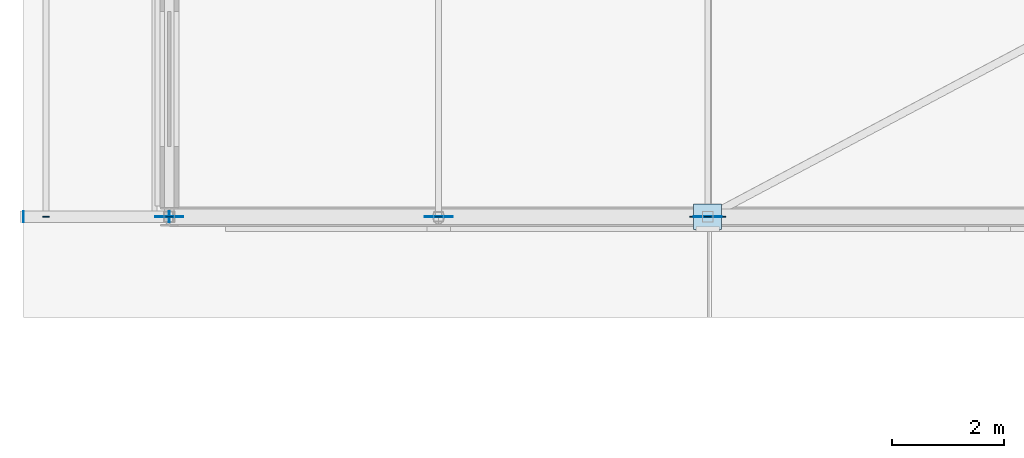
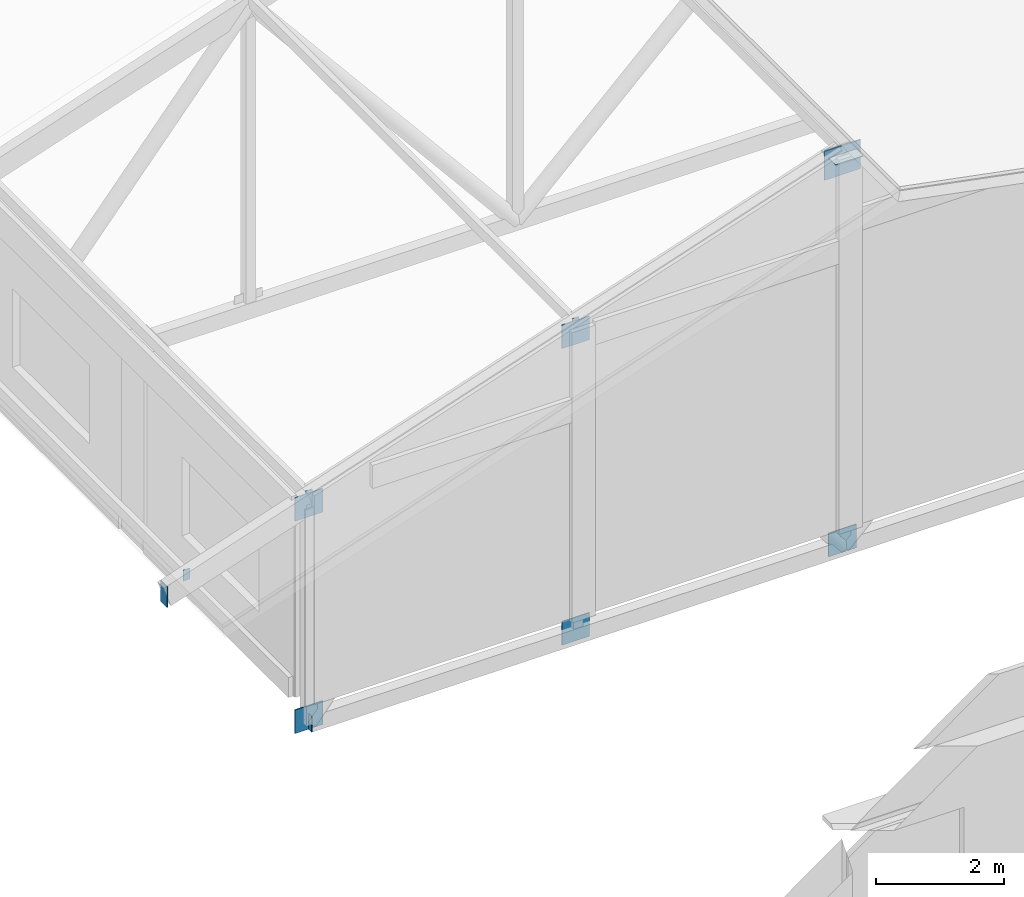
# One storey, part 143 of 200: 13 plates.
"""IFC4 building model written with IfcOpenShell, lengths in metres."""

from ifc_helpers import new_model, si_unit, direction, frame, origin, origin_2d, place, context, subcontext, project, spatial, rectangle, extrude, material, layer, layer_set, type_object, element, save


model = new_model("IFC4")

# Units and contexts
model_context = context("Model", 3, precision=1e-05, world=origin(), true_north=direction((0.0, 1.0)))
body_context = subcontext(model_context, "Body", "Model", "MODEL_VIEW")
ifc_project = project(units=[si_unit("LENGTHUNIT", "METRE"), si_unit("AREAUNIT", "SQUARE_METRE"), si_unit("VOLUMEUNIT", "CUBIC_METRE"), si_unit("PLANEANGLEUNIT", "RADIAN"), si_unit("MASSUNIT", "GRAM", prefix="KILO")], contexts=[model_context])

# Site, building, storey
site_placement = place(None, origin())
site = spatial("IfcSite", under=ifc_project, at=site_placement, CompositionType="ELEMENT")
building_placement = place(site_placement, origin())
building = spatial("IfcBuilding", under=site, at=building_placement, Name="Vondelvale Polytechnic", CompositionType="ELEMENT")
storey_placement = place(building_placement, frame((0.0, 0.0, 13.800048828125)))
storey = spatial("IfcBuildingStorey", under=building, at=storey_placement, Name="L03", CompositionType="ELEMENT", Elevation=13.800048828125)

# Plates
ifc_material = material(Name="Steel Grade 350 (fy = 340 MPa)", Category="steel")
ifc_layer_1 = layer(ifc_material, 0.01611328125)
ifc_layer_set_1 = layer_set([ifc_layer_1], Name="PLATE-CAP-300x200")
plate_type_1 = type_object("IfcPlateType", Name="PLATE-CAP-300x200", PredefinedType="USERDEFINED", material=ifc_layer_set_1)
plate_1_placement = place(storey_placement, frame((0.0, 51.0, -0.5703125), z_axis=(0.0, 0.0, 1.0), x_axis=(1.0, 0.0, 0.0)))
element("IfcPlate", 1, at=plate_1_placement, inside=storey, type_object=plate_type_1, Name="ROOF TRUSS bottom chord cap plate W", ObjectType="CAP_PLATE", PredefinedType="USERDEFINED", context=body_context, shape_type="SweptSolid", body=[
    extrude(rectangle(XDim=0.01611328125, YDim=0.199951171875, at=origin_2d()), origin(), (0.0, 0.0, 1.0), 0.300048828125),
])
ifc_layer_2 = layer(ifc_material, 0.01611328125)
ifc_layer_set_2 = layer_set([ifc_layer_2], Name="PLATE-CAP-400x200")
plate_type_2 = type_object("IfcPlateType", Name="PLATE-CAP-400x200", PredefinedType="USERDEFINED", material=ifc_layer_set_2)
plate_2_placement = place(storey_placement, frame((-2.60009765625, 51.0, 2.71337890625), z_axis=(0.0, 0.0, 1.0), x_axis=(1.0, 0.0, 0.0)))
element("IfcPlate", 2, at=plate_2_placement, inside=storey, type_object=plate_type_2, Name="ROOF TRUSS hollow end cap plate W", ObjectType="CAP_PLATE", PredefinedType="USERDEFINED", context=body_context, shape_type="SweptSolid", body=[
    extrude(rectangle(XDim=0.01611328125, YDim=0.199951171875, at=origin_2d()), origin(), (0.0, 0.0, 1.0), 0.39990234375),
])
ifc_layer_3 = layer(ifc_material, 0.011962890625)
ifc_layer_set_3 = layer_set([ifc_layer_3], Name="PLATE-CAP-C04")
plate_type_3 = type_object("IfcPlateType", Name="PLATE-CAP-C04", PredefinedType="USERDEFINED", material=ifc_layer_set_3)
for number, where, z_axis, x_axis, name in (
    (3, (-2.199951171875, 51.0, 3.035888671875), (0.0, 0.0, 1.0), (1.0, 0.0, 0.0), "Workshop purlin South end cap plate 1"),
    (4, (0.0, 51.0, 3.769287109375), (0.0, 0.0, 1.0), (1.0, 0.0, 0.0), "Workshop purlin South end cap plate 2"),
    (5, (4.800048828125, 51.0, 5.369140625), (0.0, 0.0, 1.0), (1.0, 0.0, 0.0), "Workshop purlin South end cap plate 3"),
    (6, (9.60009765625, 51.0, 6.96923828125), (0.0, 0.0, 1.0), (1.0, 0.0, 0.0), "Workshop purlin South end cap plate 4"),
):
    element("IfcPlate", number, at=place(storey_placement, frame(where, z_axis=z_axis, x_axis=x_axis)), inside=storey, type_object=plate_type_3, Name=name, ObjectType="CAP_PLATE", PredefinedType="USERDEFINED", context=body_context, shape_type="SweptSolid", body=[
        extrude(rectangle(XDim=0.1201171875, YDim=0.011962890625, at=origin_2d()), origin(), (0.0, 0.0, 1.0), 0.2099609375),
    ])
ifc_layer_4 = layer(ifc_material, 0.01611328125)
ifc_layer_set_4 = layer_set([ifc_layer_4], Name="PLATE-GUSSET-16")
plate_type_4 = type_object("IfcPlateType", Name="PLATE-GUSSET-16", PredefinedType="USERDEFINED", material=ifc_layer_set_4)
for number, where, z_axis, x_axis, name in (
    (7, (0.0, 51.0, 3.47509765625), (0.0, 0.0, 1.0), (1.0, 0.0, 0.0), "ROOF TRUSS top chord gusset node plate 0"),
    (8, (0.0, 51.0, -0.56494140625), (0.0, 0.0, 1.0), (1.0, 0.0, 0.0), "ROOF TRUSS bottom chord gusset node plate 0"),
    (9, (4.800048828125, 51.0, 5.0751953125), (0.0, 0.0, 1.0), (1.0, 0.0, 0.0), "ROOF TRUSS top chord gusset node plate 1"),
    (10, (4.800048828125, 51.0, -0.56494140625), (0.0, 0.0, 1.0), (1.0, 0.0, 0.0), "ROOF TRUSS bottom chord gusset node plate 1"),
    (11, (9.60009765625, 51.0, -0.56494140625), (0.0, 0.0, 1.0), (1.0, 0.0, 0.0), "ROOF TRUSS bottom chord gusset node plate 2"),
):
    element("IfcPlate", number, at=place(storey_placement, frame(where, z_axis=z_axis, x_axis=x_axis)), inside=storey, type_object=plate_type_4, Name=name, ObjectType="GUSSET_PLATE", PredefinedType="USERDEFINED", context=body_context, shape_type="SweptSolid", body=[
        extrude(rectangle(XDim=0.5, YDim=0.01611328125, at=origin_2d()), origin(), (0.0, 0.0, 1.0), 0.449951171875),
    ])
plate_3_placement = place(storey_placement, frame((9.60009765625, 51.0, 7.011962890625), z_axis=(0.0, 0.0, 1.0), x_axis=(1.0, 0.0, 0.0)))
element("IfcPlate", 12, at=plate_3_placement, inside=storey, type_object=plate_type_4, Name="Workshop roof brace end gusset plate 1-1", ObjectType="GUSSET_PLATE", PredefinedType="USERDEFINED", context=body_context, shape_type="SweptSolid", body=[
    extrude(rectangle(XDim=0.5, YDim=0.449951171875, at=origin_2d()), origin(), (0.0, 0.0, 1.0), 0.01611328125),
])
ifc_layer_5 = layer(ifc_material, 0.02001953125)
ifc_layer_set_5 = layer_set([ifc_layer_5], Name="PLATE-GUSSET-20")
plate_type_5 = type_object("IfcPlateType", Name="PLATE-GUSSET-20", PredefinedType="USERDEFINED", material=ifc_layer_set_5)
plate_4_placement = place(storey_placement, frame((9.60009765625, 51.0, 6.625), z_axis=(0.0, 0.0, 1.0), x_axis=(1.0, 0.0, 0.0)))
element("IfcPlate", 13, at=plate_4_placement, inside=storey, type_object=plate_type_5, Name="ROOF TRUSS top chord gusset node plate 2", ObjectType="GUSSET_PLATE", PredefinedType="USERDEFINED", context=body_context, shape_type="SweptSolid", body=[
    extrude(rectangle(XDim=0.64990234375, YDim=0.02001953125, at=origin_2d()), origin(), (0.0, 0.0, 1.0), 0.550048828125),
])

save(model, "model.ifc")
